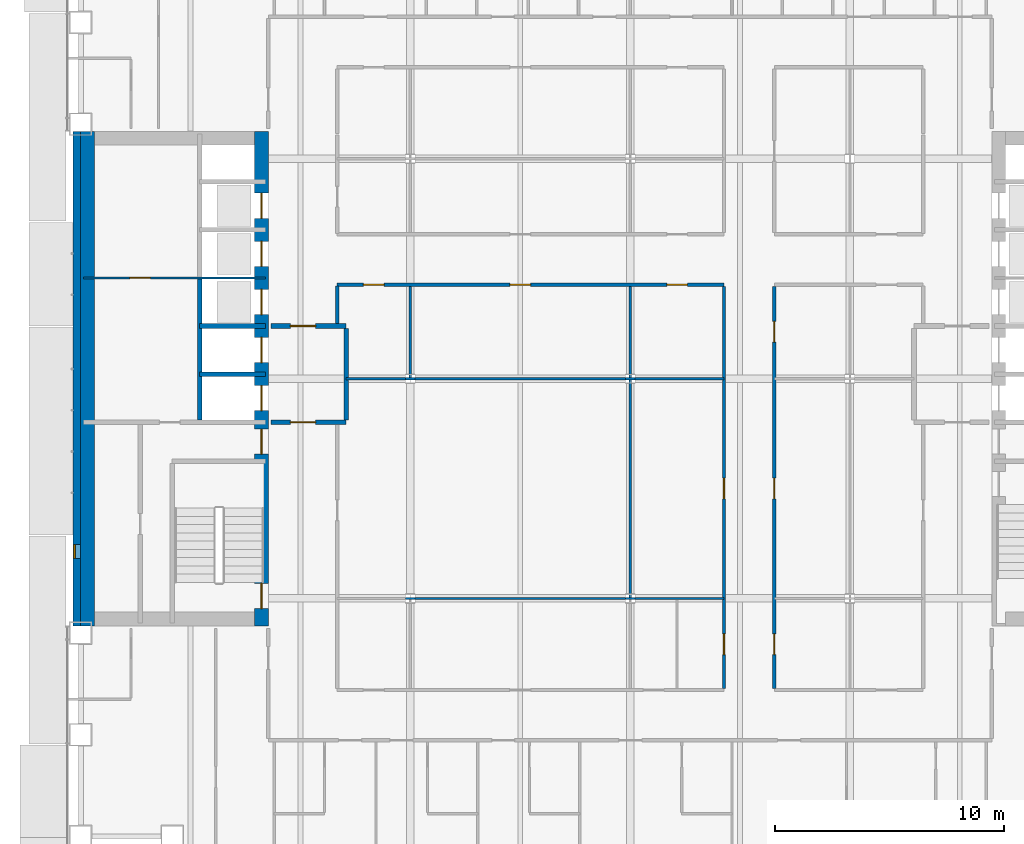
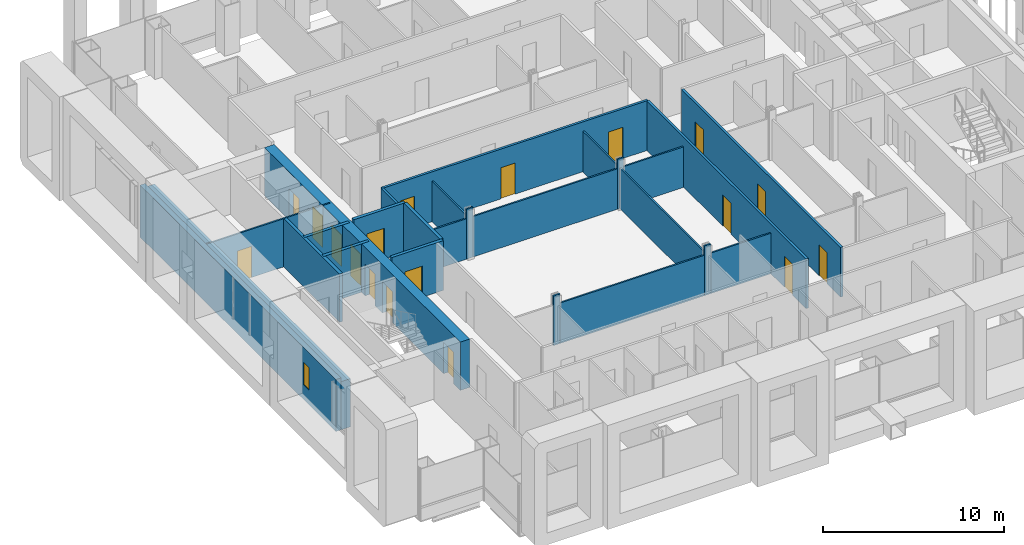
# One storey, part 15 of 25: 26 walls, 18 doors, 1 window, 19 openings.
"""IFC4 building model written with IfcOpenShell, lengths in metres."""

from ifc_helpers import new_model, si_unit, direction, frame, frame_2d, origin, place, context, subcontext, project, spatial, rectangle, extrude, material, layer, layer_set, type_object, element, fill, save


model = new_model("IFC4")

# Units and contexts
model_context = context("Model", 3, precision=1e-05, world=origin(), true_north=direction((0.0, 1.0)))
body_context = subcontext(model_context, "Body", "Model", "MODEL_VIEW")
ifc_project = project(units=[si_unit("LENGTHUNIT", "METRE"), si_unit("AREAUNIT", "SQUARE_METRE"), si_unit("VOLUMEUNIT", "CUBIC_METRE"), si_unit("PLANEANGLEUNIT", "RADIAN"), si_unit("MASSUNIT", "GRAM", prefix="KILO")], contexts=[model_context])

# Site, building, storey
site_placement = place(None, origin())
site = spatial("IfcSite", under=ifc_project, at=site_placement, CompositionType="ELEMENT")
building_placement = place(site_placement, origin())
building = spatial("IfcBuilding", under=site, at=building_placement, Name="Cobrizo Arcos Hotel Tower", CompositionType="ELEMENT")
storey_placement = place(building_placement, frame((0.0, 0.0, 53.0)))
storey = spatial("IfcBuildingStorey", under=building, at=storey_placement, Name="L11", CompositionType="ELEMENT", Elevation=53.0)

# Wall, openings, doors
ifc_material_1 = material(Name="Gypsum board partition")
ifc_layer_1 = layer(ifc_material_1, 0.14990234375)
ifc_layer_set_1 = layer_set([ifc_layer_1], Name="Corridor wall EI 60 150")
wall_type_1 = type_object("IfcWallType", Name="Corridor wall EI 60 150", PredefinedType="PARTITIONING", material=ifc_layer_set_1)
wall_1_placement = place(storey_placement, frame((-12.800048828125, 4.10009765625, 0.0), z_axis=(0.0, 0.0, 1.0), x_axis=(1.0, 0.0, 0.0)))
wall_1 = element("IfcWall", 1, at=wall_1_placement, inside=storey, type_object=wall_type_1, Name="Partition 039", PredefinedType="PARTITIONING", context=body_context, shape_type="SweptSolid", body=[
    extrude(rectangle(XDim=16.900146484375, YDim=0.14990234375, at=frame_2d((8.4501953125, 0.0))), origin(), (0.0, 0.0, 1.0), 3.35009765625),
])
opening_1_placement = place(wall_1_placement, frame((1.14990234375, 0.0, 0.0)))
opening_1 = element("IfcOpeningElement", 2, at=opening_1_placement, cuts=wall_1, Name="Opening RD-13", PredefinedType="OPENING", context=body_context, shape_type="SweptSolid", body=[
    extrude(rectangle(XDim=0.89990234375, YDim=2.10009765625, at=frame_2d((0.449951171875, 1.050048828125))), frame((0.0, 0.0869140625, 0.0), z_axis=(0.0, -1.0, 0.0), x_axis=(1.0, 0.0, 0.0)), (0.0, 0.0, 1.0), 0.173828125),
])
opening_2_placement = place(wall_1_placement, frame((14.39990234375, 0.0, 0.0)))
opening_2 = element("IfcOpeningElement", 3, at=opening_2_placement, cuts=wall_1, Name="Opening RD-22", PredefinedType="OPENING", context=body_context, shape_type="SweptSolid", body=[
    extrude(rectangle(XDim=0.89990234375, YDim=2.10009765625, at=frame_2d((0.449951171875, 1.050048828125))), frame((0.0, 0.0869140625, 0.0), z_axis=(0.0, -1.0, 0.0), x_axis=(1.0, 0.0, 0.0)), (0.0, 0.0, 1.0), 0.173828125),
])
opening_3_placement = place(wall_1_placement, frame((7.550048828125, 0.0, 0.0)))
opening_3 = element("IfcOpeningElement", 4, at=opening_3_placement, cuts=wall_1, Name="Opening RD-30", PredefinedType="OPENING", context=body_context, shape_type="SweptSolid", body=[
    extrude(rectangle(XDim=0.89990234375, YDim=2.10009765625, at=frame_2d((0.449951171875, 1.050048828125))), frame((0.0, 0.0869140625, 0.0), z_axis=(0.0, -1.0, 0.0), x_axis=(1.0, 0.0, 0.0)), (0.0, 0.0, 1.0), 0.173828125),
])
ifc_material_2 = material(Name="Timber door leaf", Category="wood")
door_type_1 = type_object("IfcDoorType", Name="Room door FD30 900x2100", OperationType="SINGLE_SWING_LEFT", PredefinedType="DOOR", material=ifc_material_2)
door_1_placement = place(opening_1_placement, origin())
door_1 = element("IfcDoor", 5, at=door_1_placement, inside=storey, type_object=door_type_1, Name="Door RD-13", OperationType="SINGLE_SWING_LEFT", OverallHeight=2.10009765625, OverallWidth=0.89990234375, PredefinedType="DOOR", context=body_context, shape_type="SweptSolid", body=[
    extrude(rectangle(XDim=0.89990234375, YDim=2.10009765625, at=frame_2d((0.449951171875, 1.050048828125))), frame((0.0, 0.02490234375, 0.0), z_axis=(0.0, -1.0, 0.0), x_axis=(1.0, 0.0, 0.0)), (0.0, 0.0, 1.0), 0.050048828125),
])
fill(opening_1, door_1)
door_2_placement = place(opening_2_placement, origin())
door_2 = element("IfcDoor", 6, at=door_2_placement, inside=storey, type_object=door_type_1, Name="Door RD-22", OperationType="SINGLE_SWING_LEFT", OverallHeight=2.10009765625, OverallWidth=0.89990234375, PredefinedType="DOOR", context=body_context, shape_type="SweptSolid", body=[
    extrude(rectangle(XDim=0.89990234375, YDim=2.10009765625, at=frame_2d((0.449951171875, 1.050048828125))), frame((0.0, 0.02490234375, 0.0), z_axis=(0.0, -1.0, 0.0), x_axis=(1.0, 0.0, 0.0)), (0.0, 0.0, 1.0), 0.050048828125),
])
fill(opening_2, door_2)
door_3_placement = place(opening_3_placement, origin())
door_3 = element("IfcDoor", 7, at=door_3_placement, inside=storey, type_object=door_type_1, Name="Door RD-30", OperationType="SINGLE_SWING_RIGHT", OverallHeight=2.10009765625, OverallWidth=0.89990234375, PredefinedType="DOOR", context=body_context, shape_type="SweptSolid", body=[
    extrude(rectangle(XDim=0.89990234375, YDim=2.10009765625, at=frame_2d((0.449951171875, 1.050048828125))), frame((0.0, 0.02490234375, 0.0), z_axis=(0.0, -1.0, 0.0), x_axis=(1.0, 0.0, 0.0)), (0.0, 0.0, 1.0), 0.050048828125),
])
fill(opening_3, door_3)

# Wall
wall_2_placement = place(storey_placement, frame((-12.800048828125, 2.39990234375, 0.0), z_axis=(0.0, 0.0, 1.0), x_axis=(0.0, 1.0, 0.0)))
element("IfcWall", 8, at=wall_2_placement, inside=storey, type_object=wall_type_1, Name="Partition 079", PredefinedType="PARTITIONING", context=body_context, shape_type="SweptSolid", body=[
    extrude(rectangle(XDim=1.650146484375, YDim=0.14990234375, at=frame_2d((0.8251953125, 0.0))), origin(), (0.0, 0.0, 1.0), 3.35009765625),
])

# Wall, openings, doors
wall_3_placement = place(storey_placement, frame((4.10009765625, -13.52490234375, 0.0), z_axis=(0.0, 0.0, 1.0), x_axis=(0.0, 1.0, 0.0)))
wall_3 = element("IfcWall", 9, at=wall_3_placement, inside=storey, type_object=wall_type_1, Name="Partition 104", PredefinedType="PARTITIONING", context=body_context, shape_type="SweptSolid", body=[
    extrude(rectangle(XDim=17.5498046875, YDim=0.14990234375, at=frame_2d((8.77490234375, 0.0))), origin(), (0.0, 0.0, 1.0), 3.35009765625),
])
opening_4_placement = place(wall_3_placement, frame((1.47509765625, 0.0, 0.0)))
opening_4 = element("IfcOpeningElement", 10, at=opening_4_placement, cuts=wall_3, Name="Opening ED-17", PredefinedType="OPENING", context=body_context, shape_type="SweptSolid", body=[
    extrude(rectangle(XDim=0.89990234375, YDim=2.10009765625, at=frame_2d((0.449951171875, 1.050048828125))), frame((0.0, 0.0869140625, 0.0), z_axis=(0.0, -1.0, 0.0), x_axis=(1.0, 0.0, 0.0)), (0.0, 0.0, 1.0), 0.173828125),
])
opening_5_placement = place(wall_3_placement, frame((8.27490234375, 0.0, 0.0)))
opening_5 = element("IfcOpeningElement", 11, at=opening_5_placement, cuts=wall_3, Name="Opening RD-31", PredefinedType="OPENING", context=body_context, shape_type="SweptSolid", body=[
    extrude(rectangle(XDim=0.89990234375, YDim=2.10009765625, at=frame_2d((0.449951171875, 1.050048828125))), frame((0.0, 0.0869140625, 0.0), z_axis=(0.0, -1.0, 0.0), x_axis=(1.0, 0.0, 0.0)), (0.0, 0.0, 1.0), 0.173828125),
])
door_type_2 = type_object("IfcDoorType", Name="En-suite door 900x2100", OperationType="SINGLE_SWING_LEFT", PredefinedType="DOOR", material=ifc_material_2)
door_4_placement = place(opening_4_placement, origin())
door_4 = element("IfcDoor", 12, at=door_4_placement, inside=storey, type_object=door_type_2, Name="Door ED-17", OperationType="SINGLE_SWING_RIGHT", OverallHeight=2.10009765625, OverallWidth=0.89990234375, PredefinedType="DOOR", context=body_context, shape_type="SweptSolid", body=[
    extrude(rectangle(XDim=0.89990234375, YDim=2.10009765625, at=frame_2d((0.449951171875, 1.050048828125))), frame((0.0, 0.02490234375, 0.0), z_axis=(0.0, -1.0, 0.0), x_axis=(1.0, 0.0, 0.0)), (0.0, 0.0, 1.0), 0.050048828125),
])
fill(opening_4, door_4)
door_5_placement = place(opening_5_placement, origin())
door_5 = element("IfcDoor", 13, at=door_5_placement, inside=storey, type_object=door_type_1, Name="Door RD-31", OperationType="SINGLE_SWING_LEFT", OverallHeight=2.10009765625, OverallWidth=0.89990234375, PredefinedType="DOOR", context=body_context, shape_type="SweptSolid", body=[
    extrude(rectangle(XDim=0.89990234375, YDim=2.10009765625, at=frame_2d((0.449951171875, 1.050048828125))), frame((0.0, 0.02490234375, 0.0), z_axis=(0.0, -1.0, 0.0), x_axis=(1.0, 0.0, 0.0)), (0.0, 0.0, 1.0), 0.050048828125),
])
fill(opening_5, door_5)

wall_4_placement = place(storey_placement, frame((6.300048828125, -13.52490234375, 0.0), z_axis=(0.0, 0.0, 1.0), x_axis=(0.0, 1.0, 0.0)))
wall_4 = element("IfcWall", 14, at=wall_4_placement, inside=storey, type_object=wall_type_1, Name="Partition 108", PredefinedType="PARTITIONING", context=body_context, shape_type="SweptSolid", body=[
    extrude(rectangle(XDim=17.5498046875, YDim=0.14990234375, at=frame_2d((8.77490234375, 0.0))), origin(), (0.0, 0.0, 1.0), 3.35009765625),
])
opening_6_placement = place(wall_4_placement, frame((1.47509765625, 0.0, 0.0)))
opening_6 = element("IfcOpeningElement", 15, at=opening_6_placement, cuts=wall_4, Name="Opening RD-18", PredefinedType="OPENING", context=body_context, shape_type="SweptSolid", body=[
    extrude(rectangle(XDim=0.89990234375, YDim=2.10009765625, at=frame_2d((0.449951171875, 1.050048828125))), frame((0.0, 0.0869140625, 0.0), z_axis=(0.0, -1.0, 0.0), x_axis=(1.0, 0.0, 0.0)), (0.0, 0.0, 1.0), 0.173828125),
])
opening_7_placement = place(wall_4_placement, frame((15.125, 0.0, 0.0)))
opening_7 = element("IfcOpeningElement", 16, at=opening_7_placement, cuts=wall_4, Name="Opening RD-19", PredefinedType="OPENING", context=body_context, shape_type="SweptSolid", body=[
    extrude(rectangle(XDim=0.89990234375, YDim=2.10009765625, at=frame_2d((0.449951171875, 1.050048828125))), frame((0.0, 0.0869140625, 0.0), z_axis=(0.0, -1.0, 0.0), x_axis=(1.0, 0.0, 0.0)), (0.0, 0.0, 1.0), 0.173828125),
])
opening_8_placement = place(wall_4_placement, frame((8.27490234375, 0.0, 0.0)))
opening_8 = element("IfcOpeningElement", 17, at=opening_8_placement, cuts=wall_4, Name="Opening RD-26", PredefinedType="OPENING", context=body_context, shape_type="SweptSolid", body=[
    extrude(rectangle(XDim=0.89990234375, YDim=2.10009765625, at=frame_2d((0.449951171875, 1.050048828125))), frame((0.0, 0.0869140625, 0.0), z_axis=(0.0, -1.0, 0.0), x_axis=(1.0, 0.0, 0.0)), (0.0, 0.0, 1.0), 0.173828125),
])
door_6_placement = place(opening_6_placement, origin())
door_6 = element("IfcDoor", 18, at=door_6_placement, inside=storey, type_object=door_type_1, Name="Door RD-18", OperationType="SINGLE_SWING_LEFT", OverallHeight=2.10009765625, OverallWidth=0.89990234375, PredefinedType="DOOR", context=body_context, shape_type="SweptSolid", body=[
    extrude(rectangle(XDim=0.89990234375, YDim=2.10009765625, at=frame_2d((0.449951171875, 1.050048828125))), frame((0.0, 0.02490234375, 0.0), z_axis=(0.0, -1.0, 0.0), x_axis=(1.0, 0.0, 0.0)), (0.0, 0.0, 1.0), 0.050048828125),
])
fill(opening_6, door_6)
door_7_placement = place(opening_7_placement, origin())
door_7 = element("IfcDoor", 19, at=door_7_placement, inside=storey, type_object=door_type_1, Name="Door RD-19", OperationType="SINGLE_SWING_LEFT", OverallHeight=2.10009765625, OverallWidth=0.89990234375, PredefinedType="DOOR", context=body_context, shape_type="SweptSolid", body=[
    extrude(rectangle(XDim=0.89990234375, YDim=2.10009765625, at=frame_2d((0.449951171875, 1.050048828125))), frame((0.0, 0.02490234375, 0.0), z_axis=(0.0, -1.0, 0.0), x_axis=(1.0, 0.0, 0.0)), (0.0, 0.0, 1.0), 0.050048828125),
])
fill(opening_7, door_7)
door_8_placement = place(opening_8_placement, origin())
door_8 = element("IfcDoor", 20, at=door_8_placement, inside=storey, type_object=door_type_1, Name="Door RD-26", OperationType="SINGLE_SWING_LEFT", OverallHeight=2.10009765625, OverallWidth=0.89990234375, PredefinedType="DOOR", context=body_context, shape_type="SweptSolid", body=[
    extrude(rectangle(XDim=0.89990234375, YDim=2.10009765625, at=frame_2d((0.449951171875, 1.050048828125))), frame((0.0, 0.02490234375, 0.0), z_axis=(0.0, -1.0, 0.0), x_axis=(1.0, 0.0, 0.0)), (0.0, 0.0, 1.0), 0.050048828125),
])
fill(opening_8, door_8)

# Wall, opening, window
ifc_material_3 = material(Name="Aluminium composite panel pale metal", Category="aluminium")
ifc_layer_2 = layer(ifc_material_3, 0.324951171875)
ifc_layer_set_2 = layer_set([ifc_layer_2], Name="EW-1 insulated panel wall 325")
wall_type_2 = type_object("IfcWallType", Name="EW-1 insulated panel wall 325", PredefinedType="SOLIDWALL", material=ifc_layer_set_2)
wall_5_placement = place(storey_placement, frame((-24.16259765625, 10.800048828125, 0.0), z_axis=(0.0, 0.0, 1.0), x_axis=(0.0, -1.0, 0.0)))
wall_5 = element("IfcWall", 21, at=wall_5_placement, inside=storey, type_object=wall_type_2, Name="Core face wall L11 W", PredefinedType="SOLIDWALL", context=body_context, shape_type="SweptSolid", body=[
    extrude(rectangle(XDim=21.60009765625, YDim=0.324951171875, at=frame_2d((10.800048828125, 0.0))), origin(), (0.0, 0.0, 1.0), 3.5),
])
opening_9_placement = place(wall_5_placement, frame((18.050048828125, 0.0, 1.0)))
opening_9 = element("IfcOpeningElement", 22, at=opening_9_placement, cuts=wall_5, Name="Opening W-18", PredefinedType="OPENING", context=body_context, shape_type="SweptSolid", body=[
    extrude(rectangle(XDim=0.60009765625, YDim=1.5, at=frame_2d((0.300048828125, 0.75))), frame((0.0, 0.174560546875, 0.0), z_axis=(0.0, -1.0, 0.0), x_axis=(1.0, 0.0, 0.0)), (0.0, 0.0, 1.0), 0.348876953125),
])
ifc_material_4 = material(Name="Aluminium 6063-T6 and clear laminated glass", Category="aluminium")
window_type = type_object("IfcWindowType", Name="W-C1 core stair slot window 600x1500", PartitioningType="SINGLE_PANEL", PredefinedType="WINDOW", material=ifc_material_4)
window_placement = place(opening_9_placement, origin())
window = element("IfcWindow", 23, at=window_placement, inside=storey, type_object=window_type, Name="Core face wall L11 W window W-18", OverallHeight=1.5, OverallWidth=0.60009765625, PartitioningType="SINGLE_PANEL", PredefinedType="WINDOW", context=body_context, shape_type="SweptSolid", body=[
    extrude(rectangle(XDim=0.60009765625, YDim=1.5, at=frame_2d((0.300048828125, 0.75))), frame((0.0, -0.072509765625, 0.0), z_axis=(0.0, -1.0, 0.0), x_axis=(1.0, 0.0, 0.0)), (0.0, 0.0, 1.0), 0.06005859375),
])
fill(opening_9, window)

# Walls
ifc_layer_3 = layer(ifc_material_1, 0.10009765625)
ifc_layer_set_3 = layer_set([ifc_layer_3], Name="Partition EI 30 100")
wall_type_3 = type_object("IfcWallType", Name="Partition EI 30 100", PredefinedType="PARTITIONING", material=ifc_layer_set_3)
wall_6_placement = place(storey_placement, frame((-9.803955078125, -9.60009765625, 0.0), z_axis=(0.0, 0.0, 1.0), x_axis=(1.0, 0.0, 0.0)))
element("IfcWall", 24, at=wall_6_placement, inside=storey, type_object=wall_type_3, Name="Partition 012", PredefinedType="PARTITIONING", context=body_context, shape_type="SweptSolid", body=[
    extrude(rectangle(XDim=0.407958984375, YDim=0.10009765625, at=frame_2d((0.2041015625, 0.0))), origin(), (0.0, 0.0, 1.0), 3.35009765625),
])
wall_7_placement = place(storey_placement, frame((-9.39599609375, -9.60009765625, 0.0), z_axis=(0.0, 0.0, 1.0), x_axis=(1.0, 0.0, 0.0)))
element("IfcWall", 25, at=wall_7_placement, inside=storey, type_object=wall_type_3, Name="Partition 013", PredefinedType="PARTITIONING", context=body_context, shape_type="SweptSolid", body=[
    extrude(rectangle(XDim=9.19189453125, YDim=0.10009765625, at=frame_2d((4.595947265625, 0.0))), origin(), (0.0, 0.0, 1.0), 2.72802734375),
])
wall_8_placement = place(storey_placement, frame((-0.2041015625, -9.60009765625, 0.0), z_axis=(0.0, 0.0, 1.0), x_axis=(1.0, 0.0, 0.0)))
element("IfcWall", 26, at=wall_8_placement, inside=storey, type_object=wall_type_3, Name="Partition 014", PredefinedType="PARTITIONING", context=body_context, shape_type="SweptSolid", body=[
    extrude(rectangle(XDim=0.408203125, YDim=0.10009765625, at=frame_2d((0.2041015625, 0.0))), origin(), (0.0, 0.0, 1.0), 3.35009765625),
])
wall_9_placement = place(storey_placement, frame((0.2041015625, -9.60009765625, 0.0), z_axis=(0.0, 0.0, 1.0), x_axis=(1.0, 0.0, 0.0)))
element("IfcWall", 27, at=wall_9_placement, inside=storey, type_object=wall_type_3, Name="Partition 015", PredefinedType="PARTITIONING", context=body_context, shape_type="SweptSolid", body=[
    extrude(rectangle(XDim=3.89599609375, YDim=0.10009765625, at=frame_2d((1.947998046875, 0.0))), origin(), (0.0, 0.0, 1.0), 2.72802734375),
])
wall_10_placement = place(storey_placement, frame((-12.39990234375, 0.0, 0.0), z_axis=(0.0, 0.0, 1.0), x_axis=(1.0, 0.0, 0.0)))
element("IfcWall", 28, at=wall_10_placement, inside=storey, type_object=wall_type_3, Name="Partition 025", PredefinedType="PARTITIONING", context=body_context, shape_type="SweptSolid", body=[
    extrude(rectangle(XDim=2.595947265625, YDim=0.10009765625, at=frame_2d((1.2978515625, 0.0))), origin(), (0.0, 0.0, 1.0), 2.72802734375),
])
wall_11_placement = place(storey_placement, frame((-9.803955078125, 0.0, 0.0), z_axis=(0.0, 0.0, 1.0), x_axis=(1.0, 0.0, 0.0)))
element("IfcWall", 29, at=wall_11_placement, inside=storey, type_object=wall_type_3, Name="Partition 026", PredefinedType="PARTITIONING", context=body_context, shape_type="SweptSolid", body=[
    extrude(rectangle(XDim=0.407958984375, YDim=0.10009765625, at=frame_2d((0.2041015625, 0.0))), origin(), (0.0, 0.0, 1.0), 3.35009765625),
])
wall_12_placement = place(storey_placement, frame((-9.39599609375, 0.0, 0.0), z_axis=(0.0, 0.0, 1.0), x_axis=(1.0, 0.0, 0.0)))
element("IfcWall", 30, at=wall_12_placement, inside=storey, type_object=wall_type_3, Name="Partition 027", PredefinedType="PARTITIONING", context=body_context, shape_type="SweptSolid", body=[
    extrude(rectangle(XDim=9.19189453125, YDim=0.10009765625, at=frame_2d((4.595947265625, 0.0))), origin(), (0.0, 0.0, 1.0), 2.72802734375),
])
wall_13_placement = place(storey_placement, frame((-0.2041015625, 0.0, 0.0), z_axis=(0.0, 0.0, 1.0), x_axis=(1.0, 0.0, 0.0)))
element("IfcWall", 31, at=wall_13_placement, inside=storey, type_object=wall_type_3, Name="Partition 028", PredefinedType="PARTITIONING", context=body_context, shape_type="SweptSolid", body=[
    extrude(rectangle(XDim=0.408203125, YDim=0.10009765625, at=frame_2d((0.2041015625, 0.0))), origin(), (0.0, 0.0, 1.0), 3.35009765625),
])
wall_14_placement = place(storey_placement, frame((0.2041015625, 0.0, 0.0), z_axis=(0.0, 0.0, 1.0), x_axis=(1.0, 0.0, 0.0)))
element("IfcWall", 32, at=wall_14_placement, inside=storey, type_object=wall_type_3, Name="Partition 029", PredefinedType="PARTITIONING", context=body_context, shape_type="SweptSolid", body=[
    extrude(rectangle(XDim=3.89599609375, YDim=0.10009765625, at=frame_2d((1.947998046875, 0.0))), origin(), (0.0, 0.0, 1.0), 2.72802734375),
])

# Wall, opening, door
wall_15_placement = place(storey_placement, frame((-23.8798828125, 4.39990234375, 0.0), z_axis=(0.0, 0.0, 1.0), x_axis=(1.0, 0.0, 0.0)))
wall_15 = element("IfcWall", 33, at=wall_15_placement, inside=storey, type_object=wall_type_3, Name="Partition 041", PredefinedType="PARTITIONING", context=body_context, shape_type="SweptSolid", body=[
    extrude(rectangle(XDim=7.9599609375, YDim=0.10009765625, at=frame_2d((3.97998046875, 0.0))), origin(), (0.0, 0.0, 1.0), 3.25),
])
opening_10_placement = place(wall_15_placement, frame((2.030029296875, 0.0, 0.0)))
opening_10 = element("IfcOpeningElement", 34, at=opening_10_placement, cuts=wall_15, Name="Opening RD-03", PredefinedType="OPENING", context=body_context, shape_type="SweptSolid", body=[
    extrude(rectangle(XDim=0.89990234375, YDim=2.10009765625, at=frame_2d((0.449951171875, 1.050048828125))), frame((0.0, 0.06201171875, 0.0), z_axis=(0.0, -1.0, 0.0), x_axis=(1.0, 0.0, 0.0)), (0.0, 0.0, 1.0), 0.1240234375),
])
door_9_placement = place(opening_10_placement, origin())
door_9 = element("IfcDoor", 35, at=door_9_placement, inside=storey, type_object=door_type_1, Name="Door RD-03", OperationType="SINGLE_SWING_RIGHT", OverallHeight=2.10009765625, OverallWidth=0.89990234375, PredefinedType="DOOR", context=body_context, shape_type="SweptSolid", body=[
    extrude(rectangle(XDim=0.89990234375, YDim=2.10009765625, at=frame_2d((0.449951171875, 1.050048828125))), frame((0.0, 0.02490234375, 0.0), z_axis=(0.0, -1.0, 0.0), x_axis=(1.0, 0.0, 0.0)), (0.0, 0.0, 1.0), 0.050048828125),
])
fill(opening_10, door_9)

# Walls
wall_16_placement = place(storey_placement, frame((-9.60009765625, 0.050048828125, 0.0), z_axis=(0.0, 0.0, 1.0), x_axis=(0.0, 1.0, 0.0)))
element("IfcWall", 36, at=wall_16_placement, inside=storey, type_object=wall_type_3, Name="Partition 085", PredefinedType="PARTITIONING", context=body_context, shape_type="SweptSolid", body=[
    extrude(rectangle(XDim=3.974853515625, YDim=0.10009765625, at=frame_2d((1.9873046875, 0.0))), origin(), (0.0, 0.0, 1.0), 2.72802734375),
])
wall_17_placement = place(storey_placement, frame((0.0, -9.550048828125, 0.0), z_axis=(0.0, 0.0, 1.0), x_axis=(0.0, 1.0, 0.0)))
element("IfcWall", 37, at=wall_17_placement, inside=storey, type_object=wall_type_3, Name="Partition 097", PredefinedType="PARTITIONING", context=body_context, shape_type="SweptSolid", body=[
    extrude(rectangle(XDim=9.5, YDim=0.10009765625, at=frame_2d((4.75, 0.0))), origin(), (0.0, 0.0, 1.0), 2.72802734375),
])
wall_18_placement = place(storey_placement, frame((0.0, 0.050048828125, 0.0), z_axis=(0.0, 0.0, 1.0), x_axis=(0.0, 1.0, 0.0)))
element("IfcWall", 38, at=wall_18_placement, inside=storey, type_object=wall_type_3, Name="Partition 098", PredefinedType="PARTITIONING", context=body_context, shape_type="SweptSolid", body=[
    extrude(rectangle(XDim=3.974853515625, YDim=0.10009765625, at=frame_2d((1.9873046875, 0.0))), origin(), (0.0, 0.0, 1.0), 2.72802734375),
])

# Wall, openings, doors
ifc_material_5 = material(Name="Concrete f'c 60 MPa", Category="concrete")
ifc_layer_4 = layer(ifc_material_5, 0.60009765625)
ifc_layer_set_4 = layer_set([ifc_layer_4], Name="RC core wall 600 f'c 60")
wall_type_4 = type_object("IfcWallType", Name="RC core wall 600 f'c 60", PredefinedType="SHEAR", material=ifc_layer_set_4)
wall_19_placement = place(storey_placement, frame((-16.10009765625, -10.800048828125, 0.0), z_axis=(0.0, 0.0, 1.0), x_axis=(0.0, 1.0, 0.0)))
wall_19 = element("IfcWall", 39, at=wall_19_placement, inside=storey, type_object=wall_type_4, Name="Core wall CW1, west core, inner face, L11", PredefinedType="SHEAR", context=body_context, shape_type="SweptSolid", body=[
    extrude(rectangle(XDim=21.60009765625, YDim=0.60009765625, at=frame_2d((10.800048828125, 0.0))), origin(), (0.0, 0.0, 1.0), 3.25),
])
opening_11_placement = place(wall_19_placement, frame((9.39990234375, 0.0, 0.0)))
opening_11 = element("IfcOpeningElement", 40, at=opening_11_placement, cuts=wall_19, Name="Opening LD-01", PredefinedType="OPENING", context=body_context, shape_type="SweptSolid", body=[
    extrude(rectangle(XDim=1.10009765625, YDim=2.10009765625, at=frame_2d((0.550048828125, 1.050048828125))), frame((0.0, 0.31201171875, 0.0), z_axis=(0.0, -1.0, 0.0), x_axis=(1.0, 0.0, 0.0)), (0.0, 0.0, 1.0), 0.6240234375),
])
opening_12_placement = place(wall_19_placement, frame((11.5, 0.0, 0.0)))
opening_12 = element("IfcOpeningElement", 41, at=opening_12_placement, cuts=wall_19, Name="Opening LD-02", PredefinedType="OPENING", context=body_context, shape_type="SweptSolid", body=[
    extrude(rectangle(XDim=1.10009765625, YDim=2.10009765625, at=frame_2d((0.550048828125, 1.050048828125))), frame((0.0, 0.31201171875, 0.0), z_axis=(0.0, -1.0, 0.0), x_axis=(1.0, 0.0, 0.0)), (0.0, 0.0, 1.0), 0.6240234375),
])
opening_13_placement = place(wall_19_placement, frame((13.60009765625, 0.0, 0.0)))
opening_13 = element("IfcOpeningElement", 42, at=opening_13_placement, cuts=wall_19, Name="Opening LD-03", PredefinedType="OPENING", context=body_context, shape_type="SweptSolid", body=[
    extrude(rectangle(XDim=1.10009765625, YDim=2.10009765625, at=frame_2d((0.550048828125, 1.050048828125))), frame((0.0, 0.31201171875, 0.0), z_axis=(0.0, -1.0, 0.0), x_axis=(1.0, 0.0, 0.0)), (0.0, 0.0, 1.0), 0.6240234375),
])
opening_14_placement = place(wall_19_placement, frame((15.699951171875, 0.0, 0.0)))
opening_14 = element("IfcOpeningElement", 43, at=opening_14_placement, cuts=wall_19, Name="Opening LD-04", PredefinedType="OPENING", context=body_context, shape_type="SweptSolid", body=[
    extrude(rectangle(XDim=1.10009765625, YDim=2.10009765625, at=frame_2d((0.550048828125, 1.050048828125))), frame((0.0, 0.31201171875, 0.0), z_axis=(0.0, -1.0, 0.0), x_axis=(1.0, 0.0, 0.0)), (0.0, 0.0, 1.0), 0.6240234375),
])
opening_15_placement = place(wall_19_placement, frame((17.800048828125, 0.0, 0.0)))
opening_15 = element("IfcOpeningElement", 44, at=opening_15_placement, cuts=wall_19, Name="Opening LD-05", PredefinedType="OPENING", context=body_context, shape_type="SweptSolid", body=[
    extrude(rectangle(XDim=1.10009765625, YDim=2.10009765625, at=frame_2d((0.550048828125, 1.050048828125))), frame((0.0, 0.31201171875, 0.0), z_axis=(0.0, -1.0, 0.0), x_axis=(1.0, 0.0, 0.0)), (0.0, 0.0, 1.0), 0.6240234375),
])
opening_16_placement = place(wall_19_placement, frame((0.758056640625, 0.0, 0.0)))
opening_16 = element("IfcOpeningElement", 45, at=opening_16_placement, cuts=wall_19, Name="Opening SD-01", PredefinedType="OPENING", context=body_context, shape_type="SweptSolid", body=[
    extrude(rectangle(XDim=1.10009765625, YDim=2.10009765625, at=frame_2d((0.550048828125, 1.050048828125))), frame((0.0, 0.31201171875, 0.0), z_axis=(0.0, -1.0, 0.0), x_axis=(1.0, 0.0, 0.0)), (0.0, 0.0, 1.0), 0.6240234375),
])
opening_17_placement = place(wall_19_placement, frame((7.5, 0.0, 0.0)))
opening_17 = element("IfcOpeningElement", 46, at=opening_17_placement, cuts=wall_19, Name="Opening FD-01", PredefinedType="OPENING", context=body_context, shape_type="SweptSolid", body=[
    extrude(rectangle(XDim=1.10009765625, YDim=2.10009765625, at=frame_2d((0.550048828125, 1.050048828125))), frame((0.0, 0.31201171875, 0.0), z_axis=(0.0, -1.0, 0.0), x_axis=(1.0, 0.0, 0.0)), (0.0, 0.0, 1.0), 0.6240234375),
])
ifc_material_6 = material(Name="Steel door leaf", Category="steel")
door_type_3 = type_object("IfcDoorType", Name="Fire door FD60 1100x2100", OperationType="SINGLE_SWING_LEFT", PredefinedType="DOOR", material=ifc_material_6)
door_10_placement = place(opening_17_placement, origin())
door_10 = element("IfcDoor", 47, at=door_10_placement, inside=storey, type_object=door_type_3, Name="Door FD-01", OperationType="SINGLE_SWING_LEFT", OverallHeight=2.10009765625, OverallWidth=1.10009765625, PredefinedType="DOOR", context=body_context, shape_type="SweptSolid", body=[
    extrude(rectangle(XDim=1.10009765625, YDim=2.10009765625, at=frame_2d((0.550048828125, 1.050048828125))), frame((0.0, 0.02490234375, 0.0), z_axis=(0.0, -1.0, 0.0), x_axis=(1.0, 0.0, 0.0)), (0.0, 0.0, 1.0), 0.050048828125),
])
fill(opening_17, door_10)
door_type_4 = type_object("IfcDoorType", Name="Lift landing door 1100x2100", OperationType="SLIDING_TO_LEFT", PredefinedType="DOOR", material=ifc_material_6)
door_11_placement = place(opening_11_placement, origin())
door_11 = element("IfcDoor", 48, at=door_11_placement, inside=storey, type_object=door_type_4, Name="Lift landing door LD-01", OperationType="SLIDING_TO_LEFT", OverallHeight=2.10009765625, OverallWidth=1.10009765625, PredefinedType="DOOR", context=body_context, shape_type="SweptSolid", body=[
    extrude(rectangle(XDim=1.10009765625, YDim=2.10009765625, at=frame_2d((0.550048828125, 1.050048828125))), frame((0.0, 0.02490234375, 0.0), z_axis=(0.0, -1.0, 0.0), x_axis=(1.0, 0.0, 0.0)), (0.0, 0.0, 1.0), 0.050048828125),
])
fill(opening_11, door_11)
door_12_placement = place(opening_12_placement, origin())
door_12 = element("IfcDoor", 49, at=door_12_placement, inside=storey, type_object=door_type_4, Name="Lift landing door LD-02", OperationType="SLIDING_TO_LEFT", OverallHeight=2.10009765625, OverallWidth=1.10009765625, PredefinedType="DOOR", context=body_context, shape_type="SweptSolid", body=[
    extrude(rectangle(XDim=1.10009765625, YDim=2.10009765625, at=frame_2d((0.550048828125, 1.050048828125))), frame((0.0, 0.02490234375, 0.0), z_axis=(0.0, -1.0, 0.0), x_axis=(1.0, 0.0, 0.0)), (0.0, 0.0, 1.0), 0.050048828125),
])
fill(opening_12, door_12)
door_13_placement = place(opening_13_placement, origin())
door_13 = element("IfcDoor", 50, at=door_13_placement, inside=storey, type_object=door_type_4, Name="Lift landing door LD-03", OperationType="SLIDING_TO_LEFT", OverallHeight=2.10009765625, OverallWidth=1.10009765625, PredefinedType="DOOR", context=body_context, shape_type="SweptSolid", body=[
    extrude(rectangle(XDim=1.10009765625, YDim=2.10009765625, at=frame_2d((0.550048828125, 1.050048828125))), frame((0.0, 0.02490234375, 0.0), z_axis=(0.0, -1.0, 0.0), x_axis=(1.0, 0.0, 0.0)), (0.0, 0.0, 1.0), 0.050048828125),
])
fill(opening_13, door_13)
door_14_placement = place(opening_14_placement, origin())
door_14 = element("IfcDoor", 51, at=door_14_placement, inside=storey, type_object=door_type_4, Name="Lift landing door LD-04", OperationType="SLIDING_TO_LEFT", OverallHeight=2.10009765625, OverallWidth=1.10009765625, PredefinedType="DOOR", context=body_context, shape_type="SweptSolid", body=[
    extrude(rectangle(XDim=1.10009765625, YDim=2.10009765625, at=frame_2d((0.550048828125, 1.050048828125))), frame((0.0, 0.02490234375, 0.0), z_axis=(0.0, -1.0, 0.0), x_axis=(1.0, 0.0, 0.0)), (0.0, 0.0, 1.0), 0.050048828125),
])
fill(opening_14, door_14)
door_15_placement = place(opening_15_placement, origin())
door_15 = element("IfcDoor", 52, at=door_15_placement, inside=storey, type_object=door_type_4, Name="Lift landing door LD-05", OperationType="SLIDING_TO_LEFT", OverallHeight=2.10009765625, OverallWidth=1.10009765625, PredefinedType="DOOR", context=body_context, shape_type="SweptSolid", body=[
    extrude(rectangle(XDim=1.10009765625, YDim=2.10009765625, at=frame_2d((0.550048828125, 1.050048828125))), frame((0.0, 0.02490234375, 0.0), z_axis=(0.0, -1.0, 0.0), x_axis=(1.0, 0.0, 0.0)), (0.0, 0.0, 1.0), 0.050048828125),
])
fill(opening_15, door_15)
door_type_5 = type_object("IfcDoorType", Name="Stair door FD60S 1100x2100", OperationType="SINGLE_SWING_LEFT", PredefinedType="DOOR", material=ifc_material_6)
door_16_placement = place(opening_16_placement, origin())
door_16 = element("IfcDoor", 53, at=door_16_placement, inside=storey, type_object=door_type_5, Name="Door SD-01", OperationType="SINGLE_SWING_LEFT", OverallHeight=2.10009765625, OverallWidth=1.10009765625, PredefinedType="DOOR", context=body_context, shape_type="SweptSolid", body=[
    extrude(rectangle(XDim=1.10009765625, YDim=2.10009765625, at=frame_2d((0.550048828125, 1.050048828125))), frame((0.0, 0.02490234375, 0.0), z_axis=(0.0, -1.0, 0.0), x_axis=(1.0, 0.0, 0.0)), (0.0, 0.0, 1.0), 0.050048828125),
])
fill(opening_16, door_16)

# Wall
wall_20_placement = place(storey_placement, frame((-23.699951171875, -10.800048828125, 0.0), z_axis=(0.0, 0.0, 1.0), x_axis=(0.0, 1.0, 0.0)))
element("IfcWall", 54, at=wall_20_placement, inside=storey, type_object=wall_type_4, Name="Core wall CW1, west core, outer face, L11", PredefinedType="SHEAR", context=body_context, shape_type="SweptSolid", body=[
    extrude(rectangle(XDim=21.60009765625, YDim=0.60009765625, at=frame_2d((10.800048828125, 0.0))), origin(), (0.0, 0.0, 1.0), 3.25),
])

# Wall, opening, door
ifc_layer_5 = layer(ifc_material_1, 0.199951171875)
ifc_layer_set_5 = layer_set([ifc_layer_5], Name="Shaft wall EI 120 200")
wall_type_5 = type_object("IfcWallType", Name="Shaft wall EI 120 200", PredefinedType="PARTITIONING", material=ifc_layer_set_5)
wall_21_placement = place(storey_placement, frame((-15.679931640625, -1.89990234375, 0.0), z_axis=(0.0, 0.0, 1.0), x_axis=(1.0, 0.0, 0.0)))
wall_21 = element("IfcWall", 55, at=wall_21_placement, inside=storey, type_object=wall_type_5, Name="Partition 022", PredefinedType="PARTITIONING", context=body_context, shape_type="SweptSolid", body=[
    extrude(rectangle(XDim=3.280029296875, YDim=0.199951171875, at=frame_2d((1.64013671875, 0.0))), origin(), (0.0, 0.0, 1.0), 3.35009765625),
])
opening_18_placement = place(wall_21_placement, frame((0.840087890625, 0.0, 0.0)))
opening_18 = element("IfcOpeningElement", 56, at=opening_18_placement, cuts=wall_21, Name="Opening FD-03", PredefinedType="OPENING", context=body_context, shape_type="SweptSolid", body=[
    extrude(rectangle(XDim=1.10009765625, YDim=2.10009765625, at=frame_2d((0.550048828125, 1.050048828125))), frame((0.0, 0.112060546875, 0.0), z_axis=(0.0, -1.0, 0.0), x_axis=(1.0, 0.0, 0.0)), (0.0, 0.0, 1.0), 0.223876953125),
])
door_17_placement = place(opening_18_placement, origin())
door_17 = element("IfcDoor", 57, at=door_17_placement, inside=storey, type_object=door_type_3, Name="Door FD-03", OperationType="SINGLE_SWING_RIGHT", OverallHeight=2.10009765625, OverallWidth=1.10009765625, PredefinedType="DOOR", context=body_context, shape_type="SweptSolid", body=[
    extrude(rectangle(XDim=1.10009765625, YDim=2.10009765625, at=frame_2d((0.550048828125, 1.050048828125))), frame((0.0, 0.02490234375, 0.0), z_axis=(0.0, -1.0, 0.0), x_axis=(1.0, 0.0, 0.0)), (0.0, 0.0, 1.0), 0.050048828125),
])
fill(opening_18, door_17)

# Walls
for number, where, z_axis, x_axis, name in (
    (58, (-18.800048828125, 0.199951171875, 0.0), (0.0, 0.0, 1.0), (1.0, 0.0, 0.0), "Partition 033"),
    (59, (-18.800048828125, 2.300048828125, 0.0), (0.0, 0.0, 1.0), (1.0, 0.0, 0.0), "Partition 035"),
):
    element("IfcWall", number, at=place(storey_placement, frame(where, z_axis=z_axis, x_axis=x_axis)), inside=storey, type_object=wall_type_5, Name=name, PredefinedType="PARTITIONING", context=body_context, shape_type="SweptSolid", body=[
        extrude(rectangle(XDim=2.880126953125, YDim=0.199951171875, at=frame_2d((1.43994140625, 0.0))), origin(), (0.0, 0.0, 1.0), 3.25),
    ])

# Wall, opening, door
wall_22_placement = place(storey_placement, frame((-15.679931640625, 2.300048828125, 0.0), z_axis=(0.0, 0.0, 1.0), x_axis=(1.0, 0.0, 0.0)))
wall_22 = element("IfcWall", 60, at=wall_22_placement, inside=storey, type_object=wall_type_5, Name="Partition 036", PredefinedType="PARTITIONING", context=body_context, shape_type="SweptSolid", body=[
    extrude(rectangle(XDim=3.280029296875, YDim=0.199951171875, at=frame_2d((1.64013671875, 0.0))), origin(), (0.0, 0.0, 1.0), 3.35009765625),
])
opening_19_placement = place(wall_22_placement, frame((0.840087890625, 0.0, 0.0)))
opening_19 = element("IfcOpeningElement", 61, at=opening_19_placement, cuts=wall_22, Name="Opening FD-02", PredefinedType="OPENING", context=body_context, shape_type="SweptSolid", body=[
    extrude(rectangle(XDim=1.10009765625, YDim=2.10009765625, at=frame_2d((0.550048828125, 1.050048828125))), frame((0.0, 0.112060546875, 0.0), z_axis=(0.0, -1.0, 0.0), x_axis=(1.0, 0.0, 0.0)), (0.0, 0.0, 1.0), 0.223876953125),
])
door_18_placement = place(opening_19_placement, origin())
door_18 = element("IfcDoor", 62, at=door_18_placement, inside=storey, type_object=door_type_3, Name="Door FD-02", OperationType="SINGLE_SWING_LEFT", OverallHeight=2.10009765625, OverallWidth=1.10009765625, PredefinedType="DOOR", context=body_context, shape_type="SweptSolid", body=[
    extrude(rectangle(XDim=1.10009765625, YDim=2.10009765625, at=frame_2d((0.550048828125, 1.050048828125))), frame((0.0, 0.02490234375, 0.0), z_axis=(0.0, -1.0, 0.0), x_axis=(1.0, 0.0, 0.0)), (0.0, 0.0, 1.0), 0.050048828125),
])
fill(opening_19, door_18)

# Walls
wall_23_placement = place(storey_placement, frame((-18.800048828125, -1.800048828125, 0.0), z_axis=(0.0, 0.0, 1.0), x_axis=(0.0, 1.0, 0.0)))
element("IfcWall", 63, at=wall_23_placement, inside=storey, type_object=wall_type_5, Name="Partition 069", PredefinedType="PARTITIONING", context=body_context, shape_type="SweptSolid", body=[
    extrude(rectangle(XDim=6.150146484375, YDim=0.199951171875, at=frame_2d((3.0751953125, 0.0))), origin(), (0.0, 0.0, 1.0), 3.25),
])
wall_24_placement = place(storey_placement, frame((-12.39990234375, -1.800048828125, 0.0), z_axis=(0.0, 0.0, 1.0), x_axis=(0.0, 1.0, 0.0)))
element("IfcWall", 64, at=wall_24_placement, inside=storey, type_object=wall_type_5, Name="Partition 082", PredefinedType="PARTITIONING", context=body_context, shape_type="SweptSolid", body=[
    extrude(rectangle(XDim=4.0, YDim=0.199951171875, at=frame_2d((2.0, 0.0))), origin(), (0.0, 0.0, 1.0), 3.35009765625),
])

save(model, "model.ifc")
